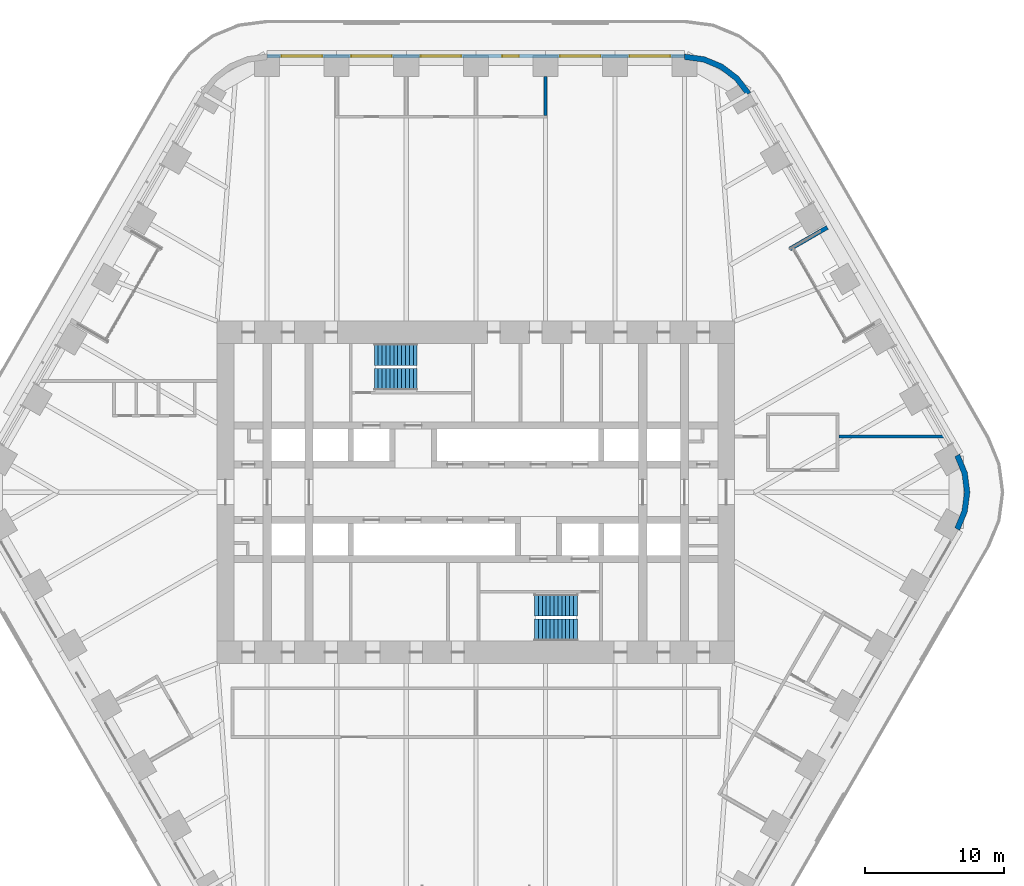
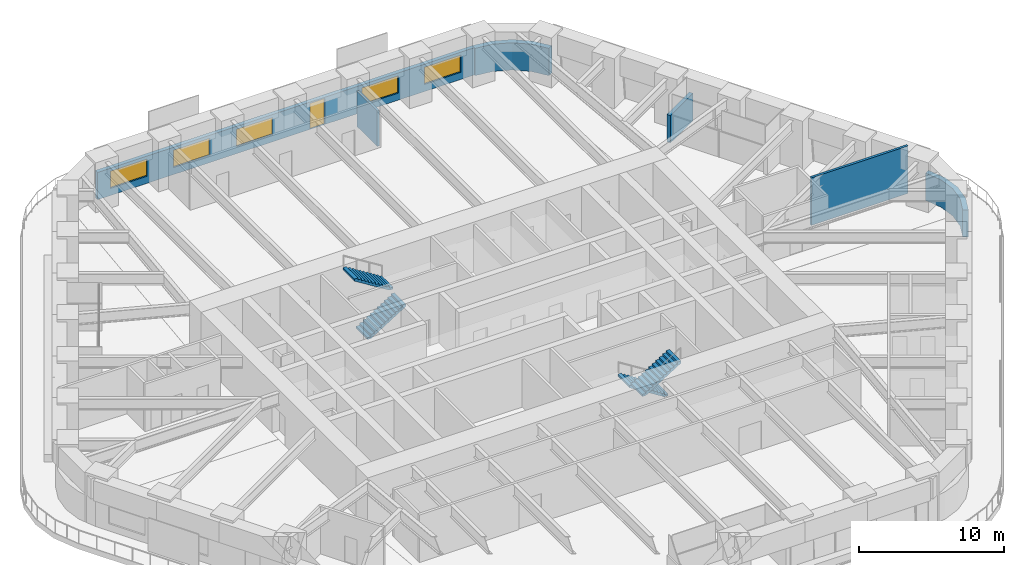
# One storey, part 21 of 24: 6 walls, 5 windows, 4 stair flights, 1 door, 6 openings, 2 elements without a shape of their own.
"""IFC4 building model written with IfcOpenShell, lengths in metres."""

import ifcopenshell
import ifcopenshell.guid

model = None  # the IFC model being written
_history = None  # IfcOwnerHistory: only IFC2X3 demands one
_inside = {}  # id of a spatial element -> (the spatial element, [elements in it])
_under = {}  # id of a project, library or spatial element -> (it, [spatial elements below it])
_declared = {}  # id of a project -> (the project, [libraries it declares])
_typed = {}  # id of a type object -> (the type object, [elements of that type])
_made_of = {}  # id of a material, layer set ... -> (it, [elements and type objects made of it])


def new_model(schema):
    """Start an empty IFC model of exactly this schema.

    Asked for "IFC4X3", IfcOpenShell would pick the latest addendum, in which some entities
    have other attributes; the version numbers below select the first issue.
    IFC2X3 requires an IfcOwnerHistory on every rooted entity: one is made here for all.
    """
    global model, _history
    if schema == "IFC4X3":
        model = ifcopenshell.file(schema_version=(4, 3, 0, 0))
    else:
        model = ifcopenshell.file(schema=schema)
    _inside.clear()
    _under.clear()
    _declared.clear()
    _typed.clear()
    _made_of.clear()
    _history = None
    if model.schema == "IFC2X3":
        org = make("IfcOrganization", Name="unknown")
        user = make(
            "IfcPersonAndOrganization",
            ThePerson=make("IfcPerson", FamilyName="unknown"),
            TheOrganization=org,
        )
        app = make(
            "IfcApplication",
            ApplicationDeveloper=org,
            Version="unknown",
            ApplicationFullName="unknown",
            ApplicationIdentifier="unknown",
        )
        _history = make(
            "IfcOwnerHistory",
            OwningUser=user,
            OwningApplication=app,
            ChangeAction="ADDED",
            CreationDate=0,
        )
    return model


def make(cls, **values):
    """One entity of the class cls with the attributes given. An attribute that is None is left unset."""
    return model.create_entity(
        cls, **{name: value for name, value in values.items() if value is not None}
    )


def rooted(cls, **values):
    """An entity with a GlobalId (a new one), such as an element, a storey or a relation."""
    return make(cls, GlobalId=ifcopenshell.guid.new(), OwnerHistory=_history, **values)


def si_unit(unit_type, name, prefix=None):
    """IfcSIUnit, for example si_unit("LENGTHUNIT", "METRE", prefix="MILLI")."""
    return make("IfcSIUnit", UnitType=unit_type, Prefix=prefix, Name=name)


def assignment(units):
    """IfcUnitAssignment: the units of a project."""
    return None if units is None else make("IfcUnitAssignment", Units=units)


def point(xyz):
    """IfcCartesianPoint."""
    return None if xyz is None else make("IfcCartesianPoint", Coordinates=xyz)


def direction(xyz):
    """IfcDirection."""
    return None if xyz is None else make("IfcDirection", DirectionRatios=xyz)


def frame(location, z_axis=None, x_axis=None):
    """IfcAxis2Placement3D, a coordinate frame: its origin and axes. An axis left out is left unset."""
    return make(
        "IfcAxis2Placement3D",
        Location=point(location),
        Axis=direction(z_axis),
        RefDirection=direction(x_axis),
    )


def frame_2d(location, x_axis=None):
    """IfcAxis2Placement2D, a coordinate frame in the plane: its origin and x axis."""
    return make(
        "IfcAxis2Placement2D", Location=point(location), RefDirection=direction(x_axis)
    )


def origin():
    """The frame at (0, 0, 0) with its axes left unset."""
    return frame((0.0, 0.0, 0.0))


def place(relative_to, where):
    """IfcLocalPlacement: puts the frame where relative to a parent placement (None: the world)."""
    return make(
        "IfcLocalPlacement", PlacementRelTo=relative_to, RelativePlacement=where
    )


def context(
    kind, dimensions, precision=None, world=None, true_north=None, identifier=None
):
    """IfcGeometricRepresentationContext, for example the 3D "Model" context."""
    return make(
        "IfcGeometricRepresentationContext",
        ContextIdentifier=identifier,
        ContextType=kind,
        CoordinateSpaceDimension=dimensions,
        Precision=precision,
        WorldCoordinateSystem=world,
        TrueNorth=true_north,
    )


def subcontext(parent, identifier, kind, view, scale=None):
    """IfcGeometricRepresentationSubContext, for example "Body" below "Model"."""
    return make(
        "IfcGeometricRepresentationSubContext",
        ContextIdentifier=identifier,
        ContextType=kind,
        ParentContext=parent,
        TargetScale=scale,
        TargetView=view,
    )


def project(units=None, contexts=None):
    """IfcProject with its units and contexts."""
    return rooted(
        "IfcProject",
        Name="project",
        RepresentationContexts=contexts,
        UnitsInContext=assignment(units),
    )


def spatial(cls, under=None, at=None, **own):
    """A site, building, storey or space (cls), placed at a placement, below another one or the project."""
    s = rooted(cls, ObjectPlacement=at, **own)
    if under is not None:
        _under.setdefault(under.id(), (under, []))[1].append(s)
    return s


def polyline(points):
    """IfcPolyline through the points."""
    return make("IfcPolyline", Points=[point(p) for p in points])


def profile(cls, at=None, kind="AREA", **sizes):
    """A parametric profile (cls). Its sizes go by their IFC names, for example OverallWidth=200.0."""
    return make(cls, ProfileType=kind, Position=at, **sizes)


def rectangle(**sizes):
    """IfcRectangleProfileDef."""
    return profile("IfcRectangleProfileDef", **sizes)


def outline(outer, holes=None, kind="AREA"):
    """IfcArbitraryClosedProfileDef: a profile drawn as a closed curve; with holes, ...WithVoids."""
    if holes is None:
        return make("IfcArbitraryClosedProfileDef", ProfileType=kind, OuterCurve=outer)
    return make(
        "IfcArbitraryProfileDefWithVoids",
        ProfileType=kind,
        OuterCurve=outer,
        InnerCurves=holes,
    )


def extrude(swept, where, along, depth):
    """IfcExtrudedAreaSolid: the profile swept, set in the frame where, extruded along a direction by depth."""
    return make(
        "IfcExtrudedAreaSolid",
        SweptArea=swept,
        Position=where,
        ExtrudedDirection=direction(along),
        Depth=depth,
    )


def shape(context_of_items, identifier, shape_type, items):
    """IfcShapeRepresentation: the items that make up one representation, for example the "Body"."""
    return make(
        "IfcShapeRepresentation",
        ContextOfItems=context_of_items,
        RepresentationIdentifier=identifier,
        RepresentationType=shape_type,
        Items=items,
    )


def material(Name=None, Category=None):
    """IfcMaterial."""
    return make("IfcMaterial", Name=Name, Category=Category)


def layer(
    of_material, thickness, ventilated=None, Name=None, Category=None, Priority=None
):
    """IfcMaterialLayer: one layer of a wall or slab, of a material (None: an air gap)."""
    return make(
        "IfcMaterialLayer",
        Material=of_material,
        LayerThickness=thickness,
        IsVentilated=ventilated,
        Name=Name,
        Category=Category,
        Priority=Priority,
    )


def layer_set(layers, Name=None):
    """IfcMaterialLayerSet."""
    return make("IfcMaterialLayerSet", MaterialLayers=layers, LayerSetName=Name)


def made_of(thing, what):
    """Note that an element or type object is made of a material, layer set ...; save() writes the relation."""
    if what is not None:
        _made_of.setdefault(what.id(), (what, []))[1].append(thing)
    return thing


def type_object(cls, material=None, **own):
    """A type object (cls), such as IfcWallType, which elements share."""
    return made_of(rooted(cls, **own), material)


def element(
    cls,
    number,
    at=None,
    inside=None,
    cuts=None,
    type_object=None,
    material=None,
    context=None,
    identifier="Body",
    shape_type=None,
    held_by="IfcProductDefinitionShape",
    body=None,
    shapes=None,
    **own,
):
    """One element of the class cls, such as IfcWall. Its Tag is "e" and its number.

    at: its placement. inside: the storey or other place that contains it. cuts: it is an
    opening in that element (IfcRelVoidsElement). A single representation is given by context,
    identifier, shape_type and body (its items); several are given by shapes. held_by: the class
    of the entity that holds the representations. save() writes the other relations.
    """
    e = rooted(cls, Tag="e%d" % number, ObjectPlacement=at, **own)
    if body is not None:
        shapes = [shape(context, identifier, shape_type, body)]
    if shapes is not None:
        e.Representation = make(held_by, Representations=shapes)
    if inside is not None:
        _inside.setdefault(inside.id(), (inside, []))[1].append(e)
    if cuts is not None:
        rooted(
            "IfcRelVoidsElement", RelatingBuildingElement=cuts, RelatedOpeningElement=e
        )
    if type_object is not None:
        _typed.setdefault(type_object.id(), (type_object, []))[1].append(e)
    return made_of(e, material)


def fill(opening, filler):
    """IfcRelFillsElement: the door or window that sits in an opening."""
    return rooted(
        "IfcRelFillsElement",
        RelatingOpeningElement=opening,
        RelatedBuildingElement=filler,
    )


def aggregate(whole, parts):
    """IfcRelAggregates: a whole, such as a stair, and the parts it consists of."""
    return rooted("IfcRelAggregates", RelatingObject=whole, RelatedObjects=parts)


def save(model, path):
    """Write the relations noted so far, then the file.

    IfcRelAggregates (storeys below a building ...), IfcRelContainedInSpatialStructure (elements
    in a storey), IfcRelDefinesByType, IfcRelAssociatesMaterial and IfcRelDeclares: one each for
    every whole, place, type object, material and project.
    """
    for whole, parts in _under.values():
        aggregate(whole, parts)
    for where, things in _inside.values():
        rooted(
            "IfcRelContainedInSpatialStructure",
            RelatedElements=things,
            RelatingStructure=where,
        )
    for kind, things in _typed.values():
        rooted("IfcRelDefinesByType", RelatedObjects=things, RelatingType=kind)
    for what, things in _made_of.values():
        rooted("IfcRelAssociatesMaterial", RelatedObjects=things, RelatingMaterial=what)
    for by, libraries in _declared.values():
        rooted("IfcRelDeclares", RelatingContext=by, RelatedDefinitions=libraries)
    model.write(path)


model = new_model("IFC4")

# Units and contexts
model_context = context("Model", 3, precision=1e-05, world=origin(), true_north=direction((0.0, 1.0)))
body_context = subcontext(model_context, "Body", "Model", "MODEL_VIEW")
ifc_project = project(units=[si_unit("LENGTHUNIT", "METRE"), si_unit("AREAUNIT", "SQUARE_METRE"), si_unit("VOLUMEUNIT", "CUBIC_METRE"), si_unit("PLANEANGLEUNIT", "RADIAN"), si_unit("MASSUNIT", "GRAM", prefix="KILO")], contexts=[model_context])

# Site, building, storey
site_placement = place(None, origin())
site = spatial("IfcSite", under=ifc_project, at=site_placement, CompositionType="ELEMENT")
building_placement = place(site_placement, origin())
building = spatial("IfcBuilding", under=site, at=building_placement, Name="Tarfa Lantern Tower", CompositionType="ELEMENT")
storey_placement = place(building_placement, frame((0.0, 0.0, 132.10009765625)))
storey = spatial("IfcBuildingStorey", under=building, at=storey_placement, Name="L29", CompositionType="ELEMENT", Elevation=132.10009765625)

# Wall
ifc_material_1 = material(Name="Limestone cladding on blockwork", Category="masonry")
ifc_layer_1 = layer(ifc_material_1, 0.300048828125)
ifc_layer_set_1 = layer_set([ifc_layer_1], Name="EW1 STONE-CLAD WALL 300")
wall_type_1 = type_object("IfcWallType", Name="EW1 STONE-CLAD WALL 300", PredefinedType="SOLIDWALL", material=ifc_layer_set_1)
wall_1_placement = place(storey_placement, frame((25.266357421875, 19.037353515625, 0.0), z_axis=(0.0, 0.0, 1.0), x_axis=(-0.86600983753, -0.500026960575, 0.0)))
element("IfcWall", 1, at=wall_1_placement, inside=storey, type_object=wall_type_1, Name="Loggia return NE 2", PredefinedType="SOLIDWALL", context=body_context, shape_type="SweptSolid", body=[
    extrude(rectangle(XDim=3.099853515625, YDim=0.300048828125, at=frame_2d((1.5498046875, 0.0))), origin(), (0.0, 0.0, 1.0), 2.2998046875),
])

# Wall, openings, door, windows
wall_2_placement = place(storey_placement, frame((15.010986328125, 31.35009765625, 0.0), z_axis=(0.0, 0.0, 1.0), x_axis=(-1.0, 0.0, 0.0)))
wall_2 = element("IfcWall", 2, at=wall_2_placement, inside=storey, type_object=wall_type_1, Name="Stone wall N", PredefinedType="SOLIDWALL", context=body_context, shape_type="SweptSolid", body=[
    extrude(rectangle(XDim=30.02197265625, YDim=0.300048828125, at=frame_2d((15.010986328125, 0.0))), origin(), (0.0, 0.0, 1.0), 2.2998046875),
])
opening_1_placement = place(wall_2_placement, frame((1.0517578125, 0.0, 0.60009765625)))
opening_1 = element("IfcOpeningElement", 3, at=opening_1_placement, cuts=wall_2, Name="Opening W8", PredefinedType="OPENING", context=body_context, shape_type="SweptSolid", body=[
    extrude(rectangle(XDim=2.89990234375, YDim=1.449951171875, at=frame_2d((1.449951171875, 0.72509765625))), frame((0.0, 0.159912109375, 0.0), z_axis=(0.0, -1.0, 0.0), x_axis=(1.0, 0.0, 0.0)), (0.0, 0.0, 1.0), 0.320068359375),
])
opening_2_placement = place(wall_2_placement, frame((6.0556640625, 0.0, 0.60009765625)))
opening_2 = element("IfcOpeningElement", 4, at=opening_2_placement, cuts=wall_2, Name="Opening W8", PredefinedType="OPENING", context=body_context, shape_type="SweptSolid", body=[
    extrude(rectangle(XDim=2.89990234375, YDim=1.449951171875, at=frame_2d((1.449951171875, 0.72509765625))), frame((0.0, 0.159912109375, 0.0), z_axis=(0.0, -1.0, 0.0), x_axis=(1.0, 0.0, 0.0)), (0.0, 0.0, 1.0), 0.320068359375),
])
opening_3_placement = place(wall_2_placement, frame((11.9091796875, 0.0, 0.0)))
opening_3 = element("IfcOpeningElement", 5, at=opening_3_placement, cuts=wall_2, Name="Opening D48", PredefinedType="OPENING", context=body_context, shape_type="SweptSolid", body=[
    extrude(rectangle(XDim=1.199951171875, YDim=2.199951171875, at=frame_2d((0.60009765625, 1.10009765625))), frame((0.0, 0.159912109375, 0.0), z_axis=(0.0, -1.0, 0.0), x_axis=(1.0, 0.0, 0.0)), (0.0, 0.0, 1.0), 0.320068359375),
])
opening_4_placement = place(wall_2_placement, frame((16.06298828125, 0.0, 0.60009765625)))
opening_4 = element("IfcOpeningElement", 6, at=opening_4_placement, cuts=wall_2, Name="Opening W8", PredefinedType="OPENING", context=body_context, shape_type="SweptSolid", body=[
    extrude(rectangle(XDim=2.89990234375, YDim=1.449951171875, at=frame_2d((1.449951171875, 0.72509765625))), frame((0.0, 0.159912109375, 0.0), z_axis=(0.0, -1.0, 0.0), x_axis=(1.0, 0.0, 0.0)), (0.0, 0.0, 1.0), 0.320068359375),
])
opening_5_placement = place(wall_2_placement, frame((21.066650390625, 0.0, 0.60009765625)))
opening_5 = element("IfcOpeningElement", 7, at=opening_5_placement, cuts=wall_2, Name="Opening W8", PredefinedType="OPENING", context=body_context, shape_type="SweptSolid", body=[
    extrude(rectangle(XDim=2.89990234375, YDim=1.449951171875, at=frame_2d((1.449951171875, 0.72509765625))), frame((0.0, 0.159912109375, 0.0), z_axis=(0.0, -1.0, 0.0), x_axis=(1.0, 0.0, 0.0)), (0.0, 0.0, 1.0), 0.320068359375),
])
opening_6_placement = place(wall_2_placement, frame((26.0703125, 0.0, 0.60009765625)))
opening_6 = element("IfcOpeningElement", 8, at=opening_6_placement, cuts=wall_2, Name="Opening W8", PredefinedType="OPENING", context=body_context, shape_type="SweptSolid", body=[
    extrude(rectangle(XDim=2.89990234375, YDim=1.449951171875, at=frame_2d((1.449951171875, 0.72509765625))), frame((0.0, 0.159912109375, 0.0), z_axis=(0.0, -1.0, 0.0), x_axis=(1.0, 0.0, 0.0)), (0.0, 0.0, 1.0), 0.320068359375),
])
ifc_material_2 = material(Name="Aluminium framed glazed door", Category="aluminium")
door_type = type_object("IfcDoorType", Name="BE5 BALCONY DOOR 1200x2200", OperationType="SINGLE_SWING_RIGHT", PredefinedType="DOOR", material=ifc_material_2)
door_placement = place(opening_3_placement, origin())
door = element("IfcDoor", 9, at=door_placement, inside=storey, type_object=door_type, Name="Balcony door N", OperationType="SINGLE_SWING_RIGHT", OverallHeight=2.199951171875, OverallWidth=1.199951171875, PredefinedType="DOOR", context=body_context, shape_type="SweptSolid", body=[
    extrude(rectangle(XDim=1.199951171875, YDim=2.199951171875, at=frame_2d((0.60009765625, 1.10009765625))), frame((0.0, 0.02490234375, 0.0), z_axis=(0.0, -1.0, 0.0), x_axis=(1.0, 0.0, 0.0)), (0.0, 0.0, 1.0), 0.050048828125),
])
fill(opening_3, door)
ifc_material_3 = material(Name="Aluminium frame, double glazed", Category="aluminium")
window_type = type_object("IfcWindowType", Name="W8 FULL-HEIGHT GLAZING 2900x1450", PartitioningType="SINGLE_PANEL", PredefinedType="WINDOW", material=ifc_material_3)
window_1_placement = place(opening_1_placement, origin())
window_1 = element("IfcWindow", 10, at=window_1_placement, inside=storey, type_object=window_type, Name="Window N 1", OverallHeight=1.449951171875, OverallWidth=2.89990234375, PartitioningType="SINGLE_PANEL", PredefinedType="WINDOW", context=body_context, shape_type="SweptSolid", body=[
    extrude(rectangle(XDim=2.89990234375, YDim=1.449951171875, at=frame_2d((1.449951171875, 0.72509765625))), frame((0.0, 0.030029296875, 0.0), z_axis=(0.0, -1.0, 0.0), x_axis=(1.0, 0.0, 0.0)), (0.0, 0.0, 1.0), 0.06005859375),
])
fill(opening_1, window_1)
window_2_placement = place(opening_2_placement, origin())
window_2 = element("IfcWindow", 11, at=window_2_placement, inside=storey, type_object=window_type, Name="Window N 2", OverallHeight=1.449951171875, OverallWidth=2.89990234375, PartitioningType="SINGLE_PANEL", PredefinedType="WINDOW", context=body_context, shape_type="SweptSolid", body=[
    extrude(rectangle(XDim=2.89990234375, YDim=1.449951171875, at=frame_2d((1.449951171875, 0.72509765625))), frame((0.0, 0.030029296875, 0.0), z_axis=(0.0, -1.0, 0.0), x_axis=(1.0, 0.0, 0.0)), (0.0, 0.0, 1.0), 0.06005859375),
])
fill(opening_2, window_2)
window_3_placement = place(opening_4_placement, origin())
window_3 = element("IfcWindow", 12, at=window_3_placement, inside=storey, type_object=window_type, Name="Window N 4", OverallHeight=1.449951171875, OverallWidth=2.89990234375, PartitioningType="SINGLE_PANEL", PredefinedType="WINDOW", context=body_context, shape_type="SweptSolid", body=[
    extrude(rectangle(XDim=2.89990234375, YDim=1.449951171875, at=frame_2d((1.449951171875, 0.72509765625))), frame((0.0, 0.030029296875, 0.0), z_axis=(0.0, -1.0, 0.0), x_axis=(1.0, 0.0, 0.0)), (0.0, 0.0, 1.0), 0.06005859375),
])
fill(opening_4, window_3)
window_4_placement = place(opening_5_placement, origin())
window_4 = element("IfcWindow", 13, at=window_4_placement, inside=storey, type_object=window_type, Name="Window N 5", OverallHeight=1.449951171875, OverallWidth=2.89990234375, PartitioningType="SINGLE_PANEL", PredefinedType="WINDOW", context=body_context, shape_type="SweptSolid", body=[
    extrude(rectangle(XDim=2.89990234375, YDim=1.449951171875, at=frame_2d((1.449951171875, 0.72509765625))), frame((0.0, 0.030029296875, 0.0), z_axis=(0.0, -1.0, 0.0), x_axis=(1.0, 0.0, 0.0)), (0.0, 0.0, 1.0), 0.06005859375),
])
fill(opening_5, window_4)
window_5_placement = place(opening_6_placement, origin())
window_5 = element("IfcWindow", 14, at=window_5_placement, inside=storey, type_object=window_type, Name="Window N 6", OverallHeight=1.449951171875, OverallWidth=2.89990234375, PartitioningType="SINGLE_PANEL", PredefinedType="WINDOW", context=body_context, shape_type="SweptSolid", body=[
    extrude(rectangle(XDim=2.89990234375, YDim=1.449951171875, at=frame_2d((1.449951171875, 0.72509765625))), frame((0.0, 0.030029296875, 0.0), z_axis=(0.0, -1.0, 0.0), x_axis=(1.0, 0.0, 0.0)), (0.0, 0.0, 1.0), 0.06005859375),
])
fill(opening_6, window_5)

# Walls
ifc_layer_2 = layer(ifc_material_1, 0.39990234375)
ifc_layer_set_2 = layer_set([ifc_layer_2], Name="EW2 CURVED STONE CORNER 400")
wall_type_2 = type_object("IfcWallType", Name="EW2 CURVED STONE CORNER 400", PredefinedType="SOLIDWALL", material=ifc_layer_set_2)
wall_3_placement = place(storey_placement, origin())
element("IfcWall", 15, at=wall_3_placement, inside=storey, type_object=wall_type_2, Name="Stone corner NE-N", PredefinedType="SOLIDWALL", context=body_context, shape_type="SweptSolid", body=[
    extrude(outline(polyline([(19.774169921875, 28.75), (18.900146484375, 29.88916015625), (17.760986328125, 30.76318359375), (16.4345703125, 31.3125), (15.010986328125, 31.5), (15.010986328125, 31.10009765625), (16.3310546875, 30.92626953125), (17.56103515625, 30.416748046875), (18.617431640625, 29.606201171875), (19.427734375, 28.550048828125), (19.774169921875, 28.75)])), origin(), (0.0, 0.0, 1.0), 2.2998046875),
])
wall_4_placement = place(storey_placement, origin())
element("IfcWall", 16, at=wall_4_placement, inside=storey, type_object=wall_type_2, Name="Stone corner SE-NE", PredefinedType="SOLIDWALL", context=body_context, shape_type="SweptSolid", body=[
    extrude(outline(polyline([(34.785400390625, -2.75), (35.334716796875, -1.423583984375), (35.522216796875, 0.0), (35.334716796875, 1.423583984375), (34.785400390625, 2.75), (34.43896484375, 2.550048828125), (34.948486328125, 1.320068359375), (35.122314453125, 0.0), (34.948486328125, -1.320068359375), (34.43896484375, -2.550048828125), (34.785400390625, -2.75)])), origin(), (0.0, 0.0, 1.0), 2.2998046875),
])
ifc_material_4 = material(Name="Gypsum board on steel studs", Category="steel")
ifc_layer_3 = layer(ifc_material_4, 0.2099609375)
ifc_layer_set_3 = layer_set([ifc_layer_3], Name="IW2 ACOUSTIC PARTITION 200")
wall_type_3 = type_object("IfcWallType", Name="IW2 ACOUSTIC PARTITION 200", PredefinedType="PARTITIONING", material=ifc_layer_set_3)
wall_5_placement = place(storey_placement, frame((5.003662109375, 27.10009765625, 0.0), z_axis=(0.0, 0.0, 1.0), x_axis=(0.0, 1.0, 0.0)))
element("IfcWall", 17, at=wall_5_placement, inside=storey, type_object=wall_type_3, Name="Partition", PredefinedType="PARTITIONING", context=body_context, shape_type="SweptSolid", body=[
    extrude(rectangle(XDim=2.7998046875, YDim=0.199951171875, at=frame_2d((1.39990234375, 0.0))), origin(), (0.0, 0.0, 1.0), 2.99169921875),
])
wall_6_placement = place(storey_placement, frame((26.10009765625, 4.0, 0.0), z_axis=(0.0, 0.0, 1.0), x_axis=(1.0, 0.0, 0.0)))
element("IfcWall", 18, at=wall_6_placement, inside=storey, type_object=wall_type_3, Name="Partition", PredefinedType="PARTITIONING", context=body_context, shape_type="SweptSolid", body=[
    extrude(rectangle(XDim=7.70947265625, YDim=0.199951171875, at=frame_2d((3.854736328125, 0.0))), origin(), (0.0, 0.0, 1.0), 4.0),
])

# Stair, stair flights
ifc_material_5 = material(Name="Concrete C40/50", Category="concrete")
stair_type = type_object("IfcStairType", Name="ST-T10 HALF-TURN STAIR 4200 RISE", PredefinedType="HALF_TURN_STAIR", material=ifc_material_5)
stair_1_placement = place(storey_placement, origin())
stair_1 = element("IfcStair", 19, at=stair_1_placement, inside=storey, type_object=stair_type, Name="Stair ST1", PredefinedType="HALF_TURN_STAIR")
stair_flight_type = type_object("IfcStairFlightType", Name="SF1 STAIR FLIGHT", PredefinedType="STRAIGHT", material=ifc_material_5)
stair_flight_1_placement = place(storey_placement, frame((-7.300048828125, 8.10009765625, 0.0), z_axis=(0.0, 0.0, 1.0), x_axis=(1.0, 0.0, 0.0)))
stair_flight_1 = element("IfcStairFlight", 20, at=stair_flight_1_placement, type_object=stair_flight_type, Name="ST1 flight 1", NumberOfRisers=12, NumberOfTreads=11, PredefinedType="STRAIGHT", RiserHeight=0.175, TreadLength=0.28, context=body_context, shape_type="SweptSolid", body=[
    extrude(outline(polyline([(0.0, 0.0), (0.0, 0.175048828125), (0.280029296875, 0.175048828125), (0.280029296875, 0.35009765625), (0.56005859375, 0.35009765625), (0.56005859375, 0.52490234375), (0.840087890625, 0.52490234375), (0.840087890625, 0.699951171875), (1.1201171875, 0.699951171875), (1.1201171875, 0.875), (1.39990234375, 0.875), (1.39990234375, 1.050048828125), (1.679931640625, 1.050048828125), (1.679931640625, 1.22509765625), (1.9599609375, 1.22509765625), (1.9599609375, 1.39990234375), (2.239990234375, 1.39990234375), (2.239990234375, 1.574951171875), (2.52001953125, 1.574951171875), (2.52001953125, 1.75), (2.800048828125, 1.75), (2.800048828125, 1.925048828125), (3.080078125, 1.925048828125), (3.080078125, 2.10009765625), (3.080078125, 1.748291015625), (0.28271484375, 0.0), (0.0, 0.0)])), frame((0.0, 0.800048828125, 0.0), z_axis=(0.0, -1.0, 0.0), x_axis=(1.0, 0.0, 0.0)), (0.0, 0.0, 1.0), 1.60009765625),
])
stair_flight_2_placement = place(storey_placement, frame((-4.219970703125, 9.89990234375, 2.099853515625), z_axis=(0.0, 0.0, 1.0), x_axis=(-1.0, 0.0, 0.0)))
stair_flight_2 = element("IfcStairFlight", 21, at=stair_flight_2_placement, type_object=stair_flight_type, Name="ST1 flight 2", NumberOfRisers=12, NumberOfTreads=11, PredefinedType="STRAIGHT", RiserHeight=0.175, TreadLength=0.28, context=body_context, shape_type="SweptSolid", body=[
    extrude(outline(polyline([(0.0, 0.0), (0.0, 0.175048828125), (0.280029296875, 0.175048828125), (0.280029296875, 0.35009765625), (0.56005859375, 0.35009765625), (0.56005859375, 0.52490234375), (0.840087890625, 0.52490234375), (0.840087890625, 0.699951171875), (1.1201171875, 0.699951171875), (1.1201171875, 0.875), (1.39990234375, 0.875), (1.39990234375, 1.050048828125), (1.679931640625, 1.050048828125), (1.679931640625, 1.22509765625), (1.9599609375, 1.22509765625), (1.9599609375, 1.39990234375), (2.239990234375, 1.39990234375), (2.239990234375, 1.574951171875), (2.52001953125, 1.574951171875), (2.52001953125, 1.75), (2.800048828125, 1.75), (2.800048828125, 1.925048828125), (3.080078125, 1.925048828125), (3.080078125, 2.10009765625), (3.080078125, 1.748291015625), (0.28271484375, 0.0), (0.0, 0.0)])), frame((0.0, 0.800048828125, 0.0), z_axis=(0.0, -1.0, 0.0), x_axis=(1.0, 0.0, 0.0)), (0.0, 0.0, 1.0), 1.60009765625),
])
aggregate(stair_1, [stair_flight_1, stair_flight_2])

stair_2_placement = place(storey_placement, origin())
stair_2 = element("IfcStair", 22, at=stair_2_placement, inside=storey, type_object=stair_type, Name="Stair ST2", PredefinedType="HALF_TURN_STAIR")
stair_flight_3_placement = place(storey_placement, frame((7.300048828125, -8.10009765625, 0.0), z_axis=(0.0, 0.0, 1.0), x_axis=(-1.0, 0.0, 0.0)))
stair_flight_3 = element("IfcStairFlight", 23, at=stair_flight_3_placement, type_object=stair_flight_type, Name="ST2 flight 1", NumberOfRisers=12, NumberOfTreads=11, PredefinedType="STRAIGHT", RiserHeight=0.175, TreadLength=0.28, context=body_context, shape_type="SweptSolid", body=[
    extrude(outline(polyline([(0.0, 0.0), (0.0, 0.175048828125), (0.280029296875, 0.175048828125), (0.280029296875, 0.35009765625), (0.56005859375, 0.35009765625), (0.56005859375, 0.52490234375), (0.840087890625, 0.52490234375), (0.840087890625, 0.699951171875), (1.1201171875, 0.699951171875), (1.1201171875, 0.875), (1.39990234375, 0.875), (1.39990234375, 1.050048828125), (1.679931640625, 1.050048828125), (1.679931640625, 1.22509765625), (1.9599609375, 1.22509765625), (1.9599609375, 1.39990234375), (2.239990234375, 1.39990234375), (2.239990234375, 1.574951171875), (2.52001953125, 1.574951171875), (2.52001953125, 1.75), (2.800048828125, 1.75), (2.800048828125, 1.925048828125), (3.080078125, 1.925048828125), (3.080078125, 2.10009765625), (3.080078125, 1.748291015625), (0.28271484375, 0.0), (0.0, 0.0)])), frame((0.0, 0.800048828125, 0.0), z_axis=(0.0, -1.0, 0.0), x_axis=(1.0, 0.0, 0.0)), (0.0, 0.0, 1.0), 1.60009765625),
])
stair_flight_4_placement = place(storey_placement, frame((4.219970703125, -9.89990234375, 2.099853515625), z_axis=(0.0, 0.0, 1.0), x_axis=(1.0, 0.0, 0.0)))
stair_flight_4 = element("IfcStairFlight", 24, at=stair_flight_4_placement, type_object=stair_flight_type, Name="ST2 flight 2", NumberOfRisers=12, NumberOfTreads=11, PredefinedType="STRAIGHT", RiserHeight=0.175, TreadLength=0.28, context=body_context, shape_type="SweptSolid", body=[
    extrude(outline(polyline([(0.0, 0.0), (0.0, 0.175048828125), (0.280029296875, 0.175048828125), (0.280029296875, 0.35009765625), (0.56005859375, 0.35009765625), (0.56005859375, 0.52490234375), (0.840087890625, 0.52490234375), (0.840087890625, 0.699951171875), (1.1201171875, 0.699951171875), (1.1201171875, 0.875), (1.39990234375, 0.875), (1.39990234375, 1.050048828125), (1.679931640625, 1.050048828125), (1.679931640625, 1.22509765625), (1.9599609375, 1.22509765625), (1.9599609375, 1.39990234375), (2.239990234375, 1.39990234375), (2.239990234375, 1.574951171875), (2.52001953125, 1.574951171875), (2.52001953125, 1.75), (2.800048828125, 1.75), (2.800048828125, 1.925048828125), (3.080078125, 1.925048828125), (3.080078125, 2.10009765625), (3.080078125, 1.748291015625), (0.28271484375, 0.0), (0.0, 0.0)])), frame((0.0, 0.800048828125, 0.0), z_axis=(0.0, -1.0, 0.0), x_axis=(1.0, 0.0, 0.0)), (0.0, 0.0, 1.0), 1.60009765625),
])
aggregate(stair_2, [stair_flight_3, stair_flight_4])

save(model, "model.ifc")
